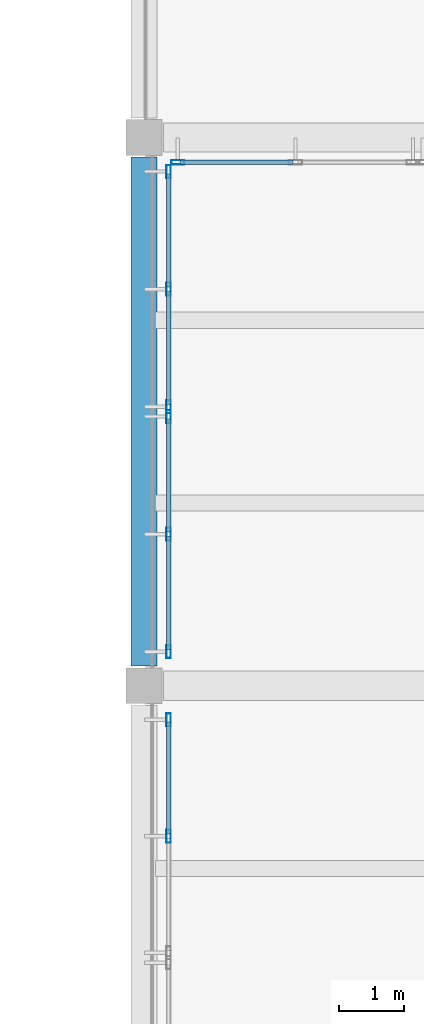
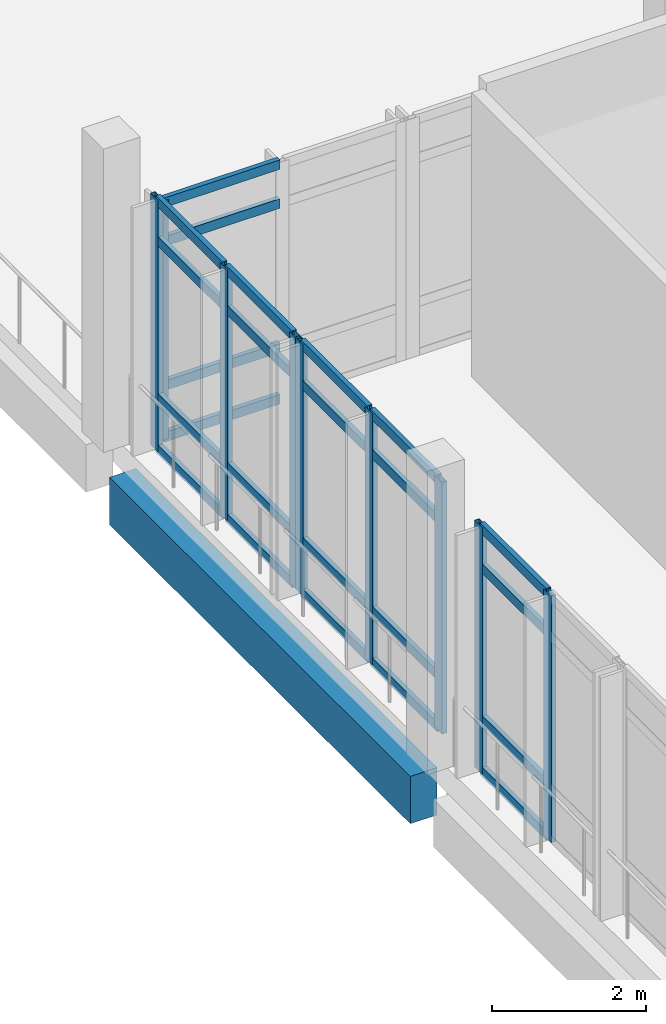
# One storey, part 19 of 63: 33 members, 1 beam, 4 elements without a shape of their own.
"""IFC4 building model written with IfcOpenShell, lengths in metres."""

from ifc_helpers import new_model, si_unit, derived_unit, direction, frame, origin, origin_2d, place, context, subcontext, project, spatial, rectangle, hollow_rectangle, extrude, material, layer, layer_set, material_profile, profile_set, type_object, element, aggregate, save


model = new_model("IFC4")

# Units and contexts
model_context = context("Model", 3, precision=1e-05, world=origin(), true_north=direction((0.0, 1.0)))
body_context = subcontext(model_context, "Body", "Model", "MODEL_VIEW")
ifc_project = project(units=[si_unit("LENGTHUNIT", "METRE"), si_unit("AREAUNIT", "SQUARE_METRE"), si_unit("VOLUMEUNIT", "CUBIC_METRE"), si_unit("PLANEANGLEUNIT", "RADIAN"), si_unit("MASSUNIT", "GRAM", prefix="KILO"), derived_unit("THERMALTRANSMITTANCEUNIT", [(si_unit("POWERUNIT", "WATT"), 1), (si_unit("LENGTHUNIT", "METRE"), -2), (si_unit("THERMODYNAMICTEMPERATUREUNIT", "KELVIN"), -1)])], contexts=[model_context])

# Site, building, storey
site_placement = place(None, origin())
site = spatial("IfcSite", under=ifc_project, at=site_placement, CompositionType="ELEMENT")
building_placement = place(site_placement, origin())
building = spatial("IfcBuilding", under=site, at=building_placement, Name="Elbkamm Science Centre", CompositionType="ELEMENT")
storey_placement = place(building_placement, frame((0.0, 0.0, 5.10009765625)))
storey = spatial("IfcBuildingStorey", under=building, at=storey_placement, Name="L01", CompositionType="ELEMENT", Elevation=5.10009765625)

# Beam
ifc_material_1 = material(Name="Concrete C40/50", Category="concrete")
ifc_material_profile_1 = material_profile(ifc_material_1, rectangle(XDim=0.39990234375, YDim=0.75, at=origin_2d()), Name="RC 400x750")
ifc_profile_set_1 = profile_set([ifc_material_profile_1], Name="Concrete C40/50")
beam_type = type_object("IfcBeamType", Name="BM-RC-400x750", PredefinedType="BEAM", material=ifc_profile_set_1)
beam_placement = place(storey_placement, frame((126.0, 67.5, -0.775146484375), z_axis=(0.0, 1.0, 0.0), x_axis=(-1.0, 0.0, 0.0)))
element("IfcBeam", 1, at=beam_placement, inside=storey, type_object=beam_type, Name="L01 Primary Y-Girder 046", PredefinedType="BEAM", context=body_context, shape_type="SweptSolid", body=[
    extrude(rectangle(XDim=0.39990234375, YDim=0.75, at=origin_2d()), origin(), (0.0, 0.0, 1.0), 7.800048828125),
])

# Curtain wall, members
ifc_material_2 = material(Name="Powder-coated aluminium and triple low-E glazing", Category="aluminium")
ifc_layer_1 = layer(ifc_material_2, 0.159912109375)
ifc_layer_set_1 = layer_set([ifc_layer_1], Name="Powder-coated aluminium and triple low-E glazing")
curtain_wall_type_1 = type_object("IfcCurtainWallType", Name="CW-UNIT-3640x3900", PredefinedType="USERDEFINED", material=ifc_layer_set_1)
curtain_wall_1_placement = place(storey_placement, origin())
curtain_wall_1 = element("IfcCurtainWall", 2, at=curtain_wall_1_placement, inside=storey, type_object=curtain_wall_type_1, Name="L01 Unitised Curtain Wall 156", ObjectType="UNITISED CURTAIN WALL", PredefinedType="USERDEFINED")
ifc_material_3 = material(Name="Powder-coated aluminium EN AW-6060", Category="aluminium")
ifc_material_profile_2 = material_profile(ifc_material_3, hollow_rectangle(XDim=0.070068359375, YDim=0.199951171875, WallThickness=0.00439453125, at=origin_2d()), Name="ALU M70x200")
ifc_profile_set_2 = profile_set([ifc_material_profile_2], Name="Powder-coated aluminium EN AW-6060")
member_type_1 = type_object("IfcMemberType", Name="CW-MUL-70x200", PredefinedType="MULLION", material=ifc_profile_set_2)
member_1_placement = place(storey_placement, frame((126.3798828125, 64.892822265625, 0.0), z_axis=(0.0, 0.0, 1.0), x_axis=(-1.0, 0.0, 0.0)))
member_1 = element("IfcMember", 3, at=member_1_placement, type_object=member_type_1, Name="CW-065 mullion 2", PredefinedType="MULLION", context=body_context, shape_type="SweptSolid", body=[
    extrude(hollow_rectangle(XDim=0.070068359375, YDim=0.199951171875, WallThickness=0.00439453125, at=origin_2d()), origin(), (0.0, 0.0, 1.0), 3.89990234375),
])
member_2_placement = place(storey_placement, frame((126.3798828125, 66.6787109375, 0.0), z_axis=(0.0, 0.0, 1.0), x_axis=(-1.0, 0.0, 0.0)))
member_2 = element("IfcMember", 4, at=member_2_placement, type_object=member_type_1, Name="CW-065 mullion 3", PredefinedType="MULLION", context=body_context, shape_type="SweptSolid", body=[
    extrude(hollow_rectangle(XDim=0.070068359375, YDim=0.199951171875, WallThickness=0.00439453125, at=origin_2d()), origin(), (0.0, 0.0, 1.0), 3.89990234375),
])

ifc_layer_2 = layer(ifc_material_2, 0.159912109375)
ifc_layer_set_2 = layer_set([ifc_layer_2], Name="Powder-coated aluminium and triple low-E glazing")
curtain_wall_type_2 = type_object("IfcCurtainWallType", Name="CW-UNIT-3680x3980", PredefinedType="USERDEFINED", material=ifc_layer_set_2)
curtain_wall_2_placement = place(storey_placement, origin())
curtain_wall_2 = element("IfcCurtainWall", 5, at=curtain_wall_2_placement, inside=storey, type_object=curtain_wall_type_2, Name="L01 Unitised Curtain Wall 157", ObjectType="UNITISED CURTAIN WALL", PredefinedType="USERDEFINED")
member_3_placement = place(storey_placement, frame((126.3798828125, 67.72119140625, 0.0), z_axis=(0.0, 0.0, 1.0), x_axis=(-1.0, 0.0, 0.0)))
member_3 = element("IfcMember", 6, at=member_3_placement, type_object=member_type_1, Name="CW-074 mullion 1", PredefinedType="MULLION", context=body_context, shape_type="SweptSolid", body=[
    extrude(hollow_rectangle(XDim=0.070068359375, YDim=0.199951171875, WallThickness=0.00439453125, at=origin_2d()), origin(), (0.0, 0.0, 1.0), 3.97998046875),
])
member_4_placement = place(storey_placement, frame((126.3798828125, 69.523193359375, 0.0), z_axis=(0.0, 0.0, 1.0), x_axis=(-1.0, 0.0, 0.0)))
member_4 = element("IfcMember", 7, at=member_4_placement, type_object=member_type_1, Name="CW-074 mullion 2", PredefinedType="MULLION", context=body_context, shape_type="SweptSolid", body=[
    extrude(hollow_rectangle(XDim=0.070068359375, YDim=0.199951171875, WallThickness=0.00439453125, at=origin_2d()), origin(), (0.0, 0.0, 1.0), 3.97998046875),
])
member_5_placement = place(storey_placement, frame((126.3798828125, 71.324951171875, 0.0), z_axis=(0.0, 0.0, 1.0), x_axis=(-1.0, 0.0, 0.0)))
member_5 = element("IfcMember", 8, at=member_5_placement, type_object=member_type_1, Name="CW-074 mullion 3", PredefinedType="MULLION", context=body_context, shape_type="SweptSolid", body=[
    extrude(hollow_rectangle(XDim=0.070068359375, YDim=0.199951171875, WallThickness=0.00439453125, at=origin_2d()), origin(), (0.0, 0.0, 1.0), 3.97998046875),
])

curtain_wall_3_placement = place(storey_placement, origin())
curtain_wall_3 = element("IfcCurtainWall", 9, at=curtain_wall_3_placement, inside=storey, type_object=curtain_wall_type_2, Name="L01 Unitised Curtain Wall 158", ObjectType="UNITISED CURTAIN WALL", PredefinedType="USERDEFINED")
member_6_placement = place(storey_placement, frame((126.3798828125, 71.47509765625, 0.0), z_axis=(0.0, 0.0, 1.0), x_axis=(-1.0, 0.0, 0.0)))
member_6 = element("IfcMember", 10, at=member_6_placement, type_object=member_type_1, Name="CW-074 mullion 1", PredefinedType="MULLION", context=body_context, shape_type="SweptSolid", body=[
    extrude(hollow_rectangle(XDim=0.070068359375, YDim=0.199951171875, WallThickness=0.00439453125, at=origin_2d()), origin(), (0.0, 0.0, 1.0), 3.97998046875),
])
member_7_placement = place(storey_placement, frame((126.3798828125, 73.27685546875, 0.0), z_axis=(0.0, 0.0, 1.0), x_axis=(-1.0, 0.0, 0.0)))
member_7 = element("IfcMember", 11, at=member_7_placement, type_object=member_type_1, Name="CW-074 mullion 2", PredefinedType="MULLION", context=body_context, shape_type="SweptSolid", body=[
    extrude(hollow_rectangle(XDim=0.070068359375, YDim=0.199951171875, WallThickness=0.00439453125, at=origin_2d()), origin(), (0.0, 0.0, 1.0), 3.97998046875),
])
member_8_placement = place(storey_placement, frame((126.3798828125, 75.07861328125, 0.0), z_axis=(0.0, 0.0, 1.0), x_axis=(-1.0, 0.0, 0.0)))
member_8 = element("IfcMember", 12, at=member_8_placement, type_object=member_type_1, Name="CW-074 mullion 3", PredefinedType="MULLION", context=body_context, shape_type="SweptSolid", body=[
    extrude(hollow_rectangle(XDim=0.070068359375, YDim=0.199951171875, WallThickness=0.00439453125, at=origin_2d()), origin(), (0.0, 0.0, 1.0), 3.97998046875),
])

# Curtain wall, member
ifc_layer_3 = layer(ifc_material_2, 0.159912109375)
ifc_layer_set_3 = layer_set([ifc_layer_3], Name="Powder-coated aluminium and triple low-E glazing")
curtain_wall_type_3 = type_object("IfcCurtainWallType", Name="CW-UNIT-3680x3780", PredefinedType="USERDEFINED", material=ifc_layer_set_3)
curtain_wall_4_placement = place(storey_placement, origin())
curtain_wall_4 = element("IfcCurtainWall", 13, at=curtain_wall_4_placement, inside=storey, type_object=curtain_wall_type_3, Name="L01 Unitised Curtain Wall 159", ObjectType="UNITISED CURTAIN WALL", PredefinedType="USERDEFINED")
member_9_placement = place(storey_placement, frame((126.521240234375, 75.219970703125, 0.0), z_axis=(0.0, 0.0, 1.0), x_axis=(0.0, 1.0, 0.0)))
member_9 = element("IfcMember", 14, at=member_9_placement, type_object=member_type_1, Name="CW-075 mullion 1", PredefinedType="MULLION", context=body_context, shape_type="SweptSolid", body=[
    extrude(hollow_rectangle(XDim=0.070068359375, YDim=0.199951171875, WallThickness=0.00439453125, at=origin_2d()), origin(), (0.0, 0.0, 1.0), 3.77978515625),
])

# Member
ifc_material_profile_3 = material_profile(ifc_material_3, hollow_rectangle(XDim=0.070068359375, YDim=0.14990234375, WallThickness=0.00390625, at=origin_2d()), Name="ALU T70x150")
ifc_profile_set_3 = profile_set([ifc_material_profile_3], Name="Powder-coated aluminium EN AW-6060")
member_type_2 = type_object("IfcMemberType", Name="CW-TRN-70x150", PredefinedType="USERDEFINED", material=ifc_profile_set_3)
member_10_placement = place(storey_placement, frame((126.3798828125, 64.927734375, 0.034912109375), z_axis=(0.0, 1.0, 0.0), x_axis=(-1.0, 0.0, 0.0)))
member_10 = element("IfcMember", 15, at=member_10_placement, type_object=member_type_2, Name="CW-065 transom 2.1", ObjectType="TRANSOM", PredefinedType="USERDEFINED", context=body_context, shape_type="SweptSolid", body=[
    extrude(hollow_rectangle(XDim=0.070068359375, YDim=0.14990234375, WallThickness=0.00390625, at=origin_2d()), origin(), (0.0, 0.0, 1.0), 1.716064453125),
])

member_11_placement = place(storey_placement, frame((126.3798828125, 64.927734375, 0.849853515625), z_axis=(0.0, 1.0, 0.0), x_axis=(-1.0, 0.0, 0.0)))
member_11 = element("IfcMember", 16, at=member_11_placement, type_object=member_type_2, Name="CW-065 transom 2.2", ObjectType="TRANSOM", PredefinedType="USERDEFINED", context=body_context, shape_type="SweptSolid", body=[
    extrude(hollow_rectangle(XDim=0.070068359375, YDim=0.14990234375, WallThickness=0.00390625, at=origin_2d()), origin(), (0.0, 0.0, 1.0), 1.716064453125),
])

member_12_placement = place(storey_placement, frame((126.3798828125, 64.927734375, 3.25), z_axis=(0.0, 1.0, 0.0), x_axis=(-1.0, 0.0, 0.0)))
member_12 = element("IfcMember", 17, at=member_12_placement, type_object=member_type_2, Name="CW-065 transom 2.3", ObjectType="TRANSOM", PredefinedType="USERDEFINED", context=body_context, shape_type="SweptSolid", body=[
    extrude(hollow_rectangle(XDim=0.070068359375, YDim=0.14990234375, WallThickness=0.00390625, at=origin_2d()), origin(), (0.0, 0.0, 1.0), 1.716064453125),
])

member_13_placement = place(storey_placement, frame((126.3798828125, 64.927734375, 3.864990234375), z_axis=(0.0, 1.0, 0.0), x_axis=(-1.0, 0.0, 0.0)))
member_13 = element("IfcMember", 18, at=member_13_placement, type_object=member_type_2, Name="CW-065 transom 2.4", ObjectType="TRANSOM", PredefinedType="USERDEFINED", context=body_context, shape_type="SweptSolid", body=[
    extrude(hollow_rectangle(XDim=0.070068359375, YDim=0.14990234375, WallThickness=0.00390625, at=origin_2d()), origin(), (0.0, 0.0, 1.0), 1.716064453125),
])

aggregate(curtain_wall_1, [member_1, member_2, member_10, member_11, member_12, member_13])

member_14_placement = place(storey_placement, frame((126.3798828125, 67.75634765625, 0.034912109375), z_axis=(0.0, 1.0, 0.0), x_axis=(-1.0, 0.0, 0.0)))
member_14 = element("IfcMember", 19, at=member_14_placement, type_object=member_type_2, Name="CW-074 transom 1.1", ObjectType="TRANSOM", PredefinedType="USERDEFINED", context=body_context, shape_type="SweptSolid", body=[
    extrude(hollow_rectangle(XDim=0.070068359375, YDim=0.14990234375, WallThickness=0.00390625, at=origin_2d()), origin(), (0.0, 0.0, 1.0), 1.731689453125),
])

member_15_placement = place(storey_placement, frame((126.3798828125, 67.75634765625, 0.849853515625), z_axis=(0.0, 1.0, 0.0), x_axis=(-1.0, 0.0, 0.0)))
member_15 = element("IfcMember", 20, at=member_15_placement, type_object=member_type_2, Name="CW-074 transom 1.2", ObjectType="TRANSOM", PredefinedType="USERDEFINED", context=body_context, shape_type="SweptSolid", body=[
    extrude(hollow_rectangle(XDim=0.070068359375, YDim=0.14990234375, WallThickness=0.00390625, at=origin_2d()), origin(), (0.0, 0.0, 1.0), 1.731689453125),
])

member_16_placement = place(storey_placement, frame((126.3798828125, 67.75634765625, 3.329833984375), z_axis=(0.0, 1.0, 0.0), x_axis=(-1.0, 0.0, 0.0)))
member_16 = element("IfcMember", 21, at=member_16_placement, type_object=member_type_2, Name="CW-074 transom 1.3", ObjectType="TRANSOM", PredefinedType="USERDEFINED", context=body_context, shape_type="SweptSolid", body=[
    extrude(hollow_rectangle(XDim=0.070068359375, YDim=0.14990234375, WallThickness=0.00390625, at=origin_2d()), origin(), (0.0, 0.0, 1.0), 1.731689453125),
])

member_17_placement = place(storey_placement, frame((126.3798828125, 67.75634765625, 3.94482421875), z_axis=(0.0, 1.0, 0.0), x_axis=(-1.0, 0.0, 0.0)))
member_17 = element("IfcMember", 22, at=member_17_placement, type_object=member_type_2, Name="CW-074 transom 1.4", ObjectType="TRANSOM", PredefinedType="USERDEFINED", context=body_context, shape_type="SweptSolid", body=[
    extrude(hollow_rectangle(XDim=0.070068359375, YDim=0.14990234375, WallThickness=0.00390625, at=origin_2d()), origin(), (0.0, 0.0, 1.0), 1.731689453125),
])

member_18_placement = place(storey_placement, frame((126.3798828125, 69.55810546875, 0.034912109375), z_axis=(0.0, 1.0, 0.0), x_axis=(-1.0, 0.0, 0.0)))
member_18 = element("IfcMember", 23, at=member_18_placement, type_object=member_type_2, Name="CW-074 transom 2.1", ObjectType="TRANSOM", PredefinedType="USERDEFINED", context=body_context, shape_type="SweptSolid", body=[
    extrude(hollow_rectangle(XDim=0.070068359375, YDim=0.14990234375, WallThickness=0.00390625, at=origin_2d()), origin(), (0.0, 0.0, 1.0), 1.73193359375),
])

member_19_placement = place(storey_placement, frame((126.3798828125, 69.55810546875, 0.849853515625), z_axis=(0.0, 1.0, 0.0), x_axis=(-1.0, 0.0, 0.0)))
member_19 = element("IfcMember", 24, at=member_19_placement, type_object=member_type_2, Name="CW-074 transom 2.2", ObjectType="TRANSOM", PredefinedType="USERDEFINED", context=body_context, shape_type="SweptSolid", body=[
    extrude(hollow_rectangle(XDim=0.070068359375, YDim=0.14990234375, WallThickness=0.00390625, at=origin_2d()), origin(), (0.0, 0.0, 1.0), 1.73193359375),
])

member_20_placement = place(storey_placement, frame((126.3798828125, 69.55810546875, 3.329833984375), z_axis=(0.0, 1.0, 0.0), x_axis=(-1.0, 0.0, 0.0)))
member_20 = element("IfcMember", 25, at=member_20_placement, type_object=member_type_2, Name="CW-074 transom 2.3", ObjectType="TRANSOM", PredefinedType="USERDEFINED", context=body_context, shape_type="SweptSolid", body=[
    extrude(hollow_rectangle(XDim=0.070068359375, YDim=0.14990234375, WallThickness=0.00390625, at=origin_2d()), origin(), (0.0, 0.0, 1.0), 1.73193359375),
])

member_21_placement = place(storey_placement, frame((126.3798828125, 69.55810546875, 3.94482421875), z_axis=(0.0, 1.0, 0.0), x_axis=(-1.0, 0.0, 0.0)))
member_21 = element("IfcMember", 26, at=member_21_placement, type_object=member_type_2, Name="CW-074 transom 2.4", ObjectType="TRANSOM", PredefinedType="USERDEFINED", context=body_context, shape_type="SweptSolid", body=[
    extrude(hollow_rectangle(XDim=0.070068359375, YDim=0.14990234375, WallThickness=0.00390625, at=origin_2d()), origin(), (0.0, 0.0, 1.0), 1.73193359375),
])

aggregate(curtain_wall_2, [member_3, member_4, member_5, member_14, member_15, member_16, member_17, member_18, member_19, member_20, member_21])

member_22_placement = place(storey_placement, frame((126.3798828125, 71.510009765625, 0.034912109375), z_axis=(0.0, 1.0, 0.0), x_axis=(-1.0, 0.0, 0.0)))
member_22 = element("IfcMember", 27, at=member_22_placement, type_object=member_type_2, Name="CW-074 transom 1.1", ObjectType="TRANSOM", PredefinedType="USERDEFINED", context=body_context, shape_type="SweptSolid", body=[
    extrude(hollow_rectangle(XDim=0.070068359375, YDim=0.14990234375, WallThickness=0.00390625, at=origin_2d()), origin(), (0.0, 0.0, 1.0), 1.73193359375),
])

member_23_placement = place(storey_placement, frame((126.3798828125, 71.510009765625, 0.849853515625), z_axis=(0.0, 1.0, 0.0), x_axis=(-1.0, 0.0, 0.0)))
member_23 = element("IfcMember", 28, at=member_23_placement, type_object=member_type_2, Name="CW-074 transom 1.2", ObjectType="TRANSOM", PredefinedType="USERDEFINED", context=body_context, shape_type="SweptSolid", body=[
    extrude(hollow_rectangle(XDim=0.070068359375, YDim=0.14990234375, WallThickness=0.00390625, at=origin_2d()), origin(), (0.0, 0.0, 1.0), 1.73193359375),
])

member_24_placement = place(storey_placement, frame((126.3798828125, 71.510009765625, 3.329833984375), z_axis=(0.0, 1.0, 0.0), x_axis=(-1.0, 0.0, 0.0)))
member_24 = element("IfcMember", 29, at=member_24_placement, type_object=member_type_2, Name="CW-074 transom 1.3", ObjectType="TRANSOM", PredefinedType="USERDEFINED", context=body_context, shape_type="SweptSolid", body=[
    extrude(hollow_rectangle(XDim=0.070068359375, YDim=0.14990234375, WallThickness=0.00390625, at=origin_2d()), origin(), (0.0, 0.0, 1.0), 1.73193359375),
])

member_25_placement = place(storey_placement, frame((126.3798828125, 71.510009765625, 3.94482421875), z_axis=(0.0, 1.0, 0.0), x_axis=(-1.0, 0.0, 0.0)))
member_25 = element("IfcMember", 30, at=member_25_placement, type_object=member_type_2, Name="CW-074 transom 1.4", ObjectType="TRANSOM", PredefinedType="USERDEFINED", context=body_context, shape_type="SweptSolid", body=[
    extrude(hollow_rectangle(XDim=0.070068359375, YDim=0.14990234375, WallThickness=0.00390625, at=origin_2d()), origin(), (0.0, 0.0, 1.0), 1.73193359375),
])

member_26_placement = place(storey_placement, frame((126.3798828125, 73.311767578125, 0.034912109375), z_axis=(0.0, 1.0, 0.0), x_axis=(-1.0, 0.0, 0.0)))
member_26 = element("IfcMember", 31, at=member_26_placement, type_object=member_type_2, Name="CW-074 transom 2.1", ObjectType="TRANSOM", PredefinedType="USERDEFINED", context=body_context, shape_type="SweptSolid", body=[
    extrude(hollow_rectangle(XDim=0.070068359375, YDim=0.14990234375, WallThickness=0.00390625, at=origin_2d()), origin(), (0.0, 0.0, 1.0), 1.73193359375),
])

member_27_placement = place(storey_placement, frame((126.3798828125, 73.311767578125, 0.849853515625), z_axis=(0.0, 1.0, 0.0), x_axis=(-1.0, 0.0, 0.0)))
member_27 = element("IfcMember", 32, at=member_27_placement, type_object=member_type_2, Name="CW-074 transom 2.2", ObjectType="TRANSOM", PredefinedType="USERDEFINED", context=body_context, shape_type="SweptSolid", body=[
    extrude(hollow_rectangle(XDim=0.070068359375, YDim=0.14990234375, WallThickness=0.00390625, at=origin_2d()), origin(), (0.0, 0.0, 1.0), 1.73193359375),
])

member_28_placement = place(storey_placement, frame((126.3798828125, 73.311767578125, 3.329833984375), z_axis=(0.0, 1.0, 0.0), x_axis=(-1.0, 0.0, 0.0)))
member_28 = element("IfcMember", 33, at=member_28_placement, type_object=member_type_2, Name="CW-074 transom 2.3", ObjectType="TRANSOM", PredefinedType="USERDEFINED", context=body_context, shape_type="SweptSolid", body=[
    extrude(hollow_rectangle(XDim=0.070068359375, YDim=0.14990234375, WallThickness=0.00390625, at=origin_2d()), origin(), (0.0, 0.0, 1.0), 1.73193359375),
])

member_29_placement = place(storey_placement, frame((126.3798828125, 73.311767578125, 3.94482421875), z_axis=(0.0, 1.0, 0.0), x_axis=(-1.0, 0.0, 0.0)))
member_29 = element("IfcMember", 34, at=member_29_placement, type_object=member_type_2, Name="CW-074 transom 2.4", ObjectType="TRANSOM", PredefinedType="USERDEFINED", context=body_context, shape_type="SweptSolid", body=[
    extrude(hollow_rectangle(XDim=0.070068359375, YDim=0.14990234375, WallThickness=0.00390625, at=origin_2d()), origin(), (0.0, 0.0, 1.0), 1.73193359375),
])

aggregate(curtain_wall_3, [member_6, member_7, member_8, member_22, member_23, member_24, member_25, member_26, member_27, member_28, member_29])

member_30_placement = place(storey_placement, frame((126.556396484375, 75.219970703125, 0.034912109375), z_axis=(1.0, 0.0, 0.0), x_axis=(0.0, 1.0, 0.0)))
member_30 = element("IfcMember", 35, at=member_30_placement, type_object=member_type_2, Name="CW-075 transom 1.1", ObjectType="TRANSOM", PredefinedType="USERDEFINED", context=body_context, shape_type="SweptSolid", body=[
    extrude(hollow_rectangle(XDim=0.070068359375, YDim=0.14990234375, WallThickness=0.00390625, at=origin_2d()), origin(), (0.0, 0.0, 1.0), 1.731689453125),
])

member_31_placement = place(storey_placement, frame((126.556396484375, 75.219970703125, 0.849853515625), z_axis=(1.0, 0.0, 0.0), x_axis=(0.0, 1.0, 0.0)))
member_31 = element("IfcMember", 36, at=member_31_placement, type_object=member_type_2, Name="CW-075 transom 1.2", ObjectType="TRANSOM", PredefinedType="USERDEFINED", context=body_context, shape_type="SweptSolid", body=[
    extrude(hollow_rectangle(XDim=0.070068359375, YDim=0.14990234375, WallThickness=0.00390625, at=origin_2d()), origin(), (0.0, 0.0, 1.0), 1.731689453125),
])

member_32_placement = place(storey_placement, frame((126.556396484375, 75.219970703125, 3.1298828125), z_axis=(1.0, 0.0, 0.0), x_axis=(0.0, 1.0, 0.0)))
member_32 = element("IfcMember", 37, at=member_32_placement, type_object=member_type_2, Name="CW-075 transom 1.3", ObjectType="TRANSOM", PredefinedType="USERDEFINED", context=body_context, shape_type="SweptSolid", body=[
    extrude(hollow_rectangle(XDim=0.070068359375, YDim=0.14990234375, WallThickness=0.00390625, at=origin_2d()), origin(), (0.0, 0.0, 1.0), 1.731689453125),
])

member_33_placement = place(storey_placement, frame((126.556396484375, 75.219970703125, 3.744873046875), z_axis=(1.0, 0.0, 0.0), x_axis=(0.0, 1.0, 0.0)))
member_33 = element("IfcMember", 38, at=member_33_placement, type_object=member_type_2, Name="CW-075 transom 1.4", ObjectType="TRANSOM", PredefinedType="USERDEFINED", context=body_context, shape_type="SweptSolid", body=[
    extrude(hollow_rectangle(XDim=0.070068359375, YDim=0.14990234375, WallThickness=0.00390625, at=origin_2d()), origin(), (0.0, 0.0, 1.0), 1.731689453125),
])

aggregate(curtain_wall_4, [member_9, member_30, member_31, member_32, member_33])

save(model, "model.ifc")
